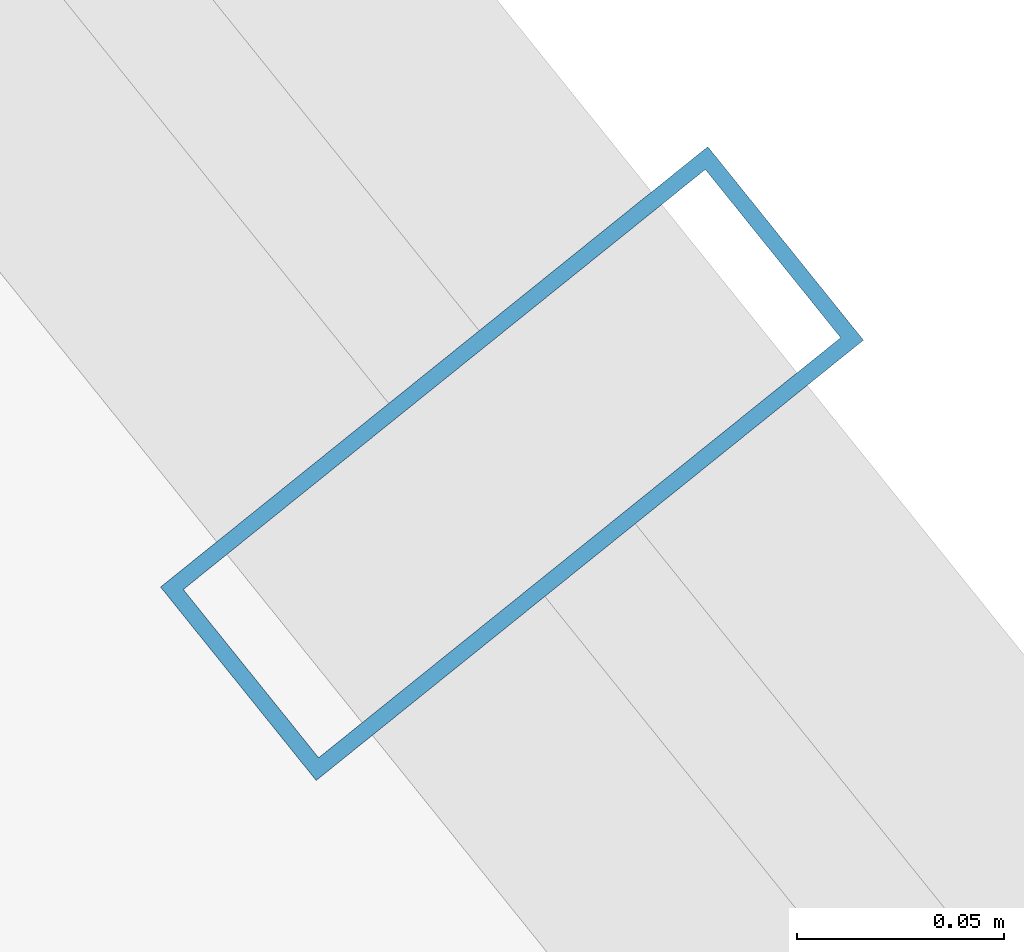
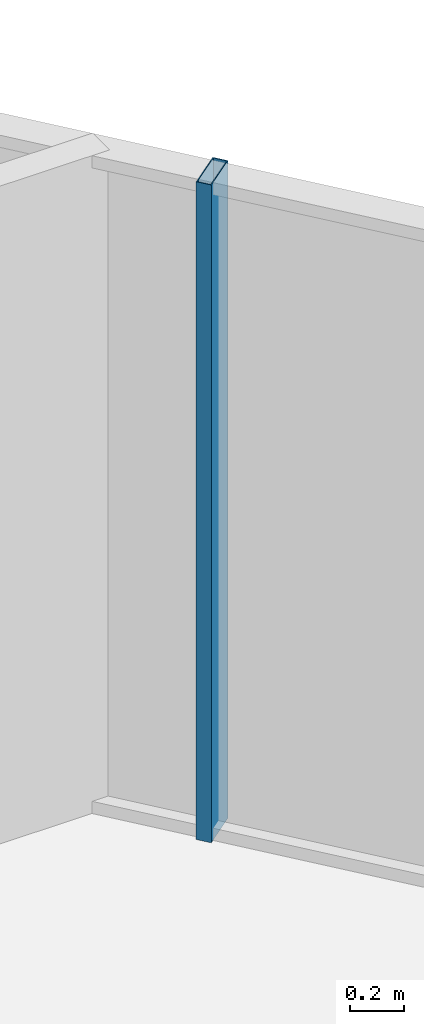
# One storey, part 29 of 37: 1 member, 1 element without a shape of its own.
"""IFC4 building model written with IfcOpenShell, lengths in metres."""

from ifc_helpers import new_model, si_unit, direction, frame, origin, origin_2d, place, context, subcontext, project, spatial, hollow_rectangle, extrude, source, transform, mapped, material, layer, layer_set, material_profile, profile_set, type_object, element, aggregate, save


model = new_model("IFC4")

# Units and contexts
model_context = context("Model", 3, precision=1e-05, world=origin(), true_north=direction((0.0, 1.0)))
body_context = subcontext(model_context, "Body", "Model", "MODEL_VIEW")
ifc_project = project(units=[si_unit("LENGTHUNIT", "METRE"), si_unit("AREAUNIT", "SQUARE_METRE"), si_unit("VOLUMEUNIT", "CUBIC_METRE"), si_unit("PLANEANGLEUNIT", "RADIAN"), si_unit("MASSUNIT", "GRAM", prefix="KILO")], contexts=[model_context])

# Site, building, storey
site_placement = place(None, origin())
site = spatial("IfcSite", under=ifc_project, at=site_placement, CompositionType="ELEMENT")
building_placement = place(site_placement, origin())
building = spatial("IfcBuilding", under=site, at=building_placement, Name="Veraguas Prism Commons", CompositionType="ELEMENT")
storey_placement = place(building_placement, frame((0.0, 0.0, 53.300048828125)))
storey = spatial("IfcBuildingStorey", under=building, at=storey_placement, Name="L14", CompositionType="ELEMENT", Elevation=53.300048828125)

# Curtain wall, member
ifc_material = material(Name="Anodised aluminium EN AW-6063 T6", Category="aluminium")
ifc_layer = layer(ifc_material, 0.169921875, Name="Unitised Flush Curtain Wall Zone 1", Category="aluminium")
ifc_layer_set = layer_set([ifc_layer], Name="Anodised aluminium EN AW-6063 T6")
curtain_wall_type = type_object("IfcCurtainWallType", Name="Unitised Flush Curtain Wall Zone 1", PredefinedType="NOTDEFINED", material=ifc_layer_set)
curtain_wall_placement = place(storey_placement, origin())
curtain_wall = element("IfcCurtainWall", 1, at=curtain_wall_placement, inside=storey, type_object=curtain_wall_type, Name="Tower Facade Curtain Wall L14-F1", PredefinedType="NOTDEFINED")
ifc_material_profile = material_profile(ifc_material, hollow_rectangle(XDim=0.06005859375, YDim=0.169921875, WallThickness=0.00390625, at=origin_2d()), Name="AL60X170X4")
ifc_profile_set = profile_set([ifc_material_profile], Name="Anodised aluminium EN AW-6063 T6")
member_type = type_object("IfcMemberType", Name="Curtain Wall Mullion Lower AL 60x170x4", PredefinedType="MULLION", material=ifc_profile_set)
shared_shape = source(origin(), body_context, "Body", "SweptSolid", [
    extrude(hollow_rectangle(XDim=0.06005859375, YDim=0.169921875, WallThickness=0.00390625, at=origin_2d()), origin(), (0.0, 0.0, 1.0), 2.969970703125),
])
member_placement = place(storey_placement, frame((40.193603515625, 37.029296875, 0.0), z_axis=(0.0, 0.0, 1.0), x_axis=(-0.626873093811, 0.779121379668, 0.0)))
member = element("IfcMember", 2, at=member_placement, type_object=member_type, Name="CW-Z1 Mullion 3", PredefinedType="MULLION", context=body_context, shape_type="MappedRepresentation", body=[
    mapped(shared_shape, transform((0.0, 0.0, 0.0), scale=1.0)),
])
aggregate(curtain_wall, [member])

save(model, "model.ifc")
